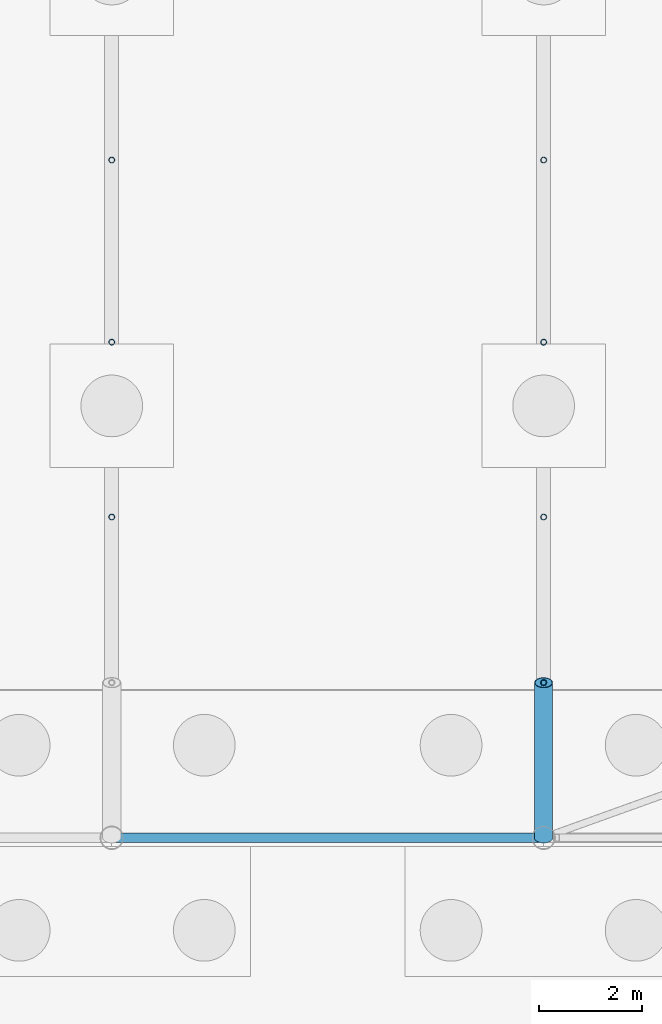
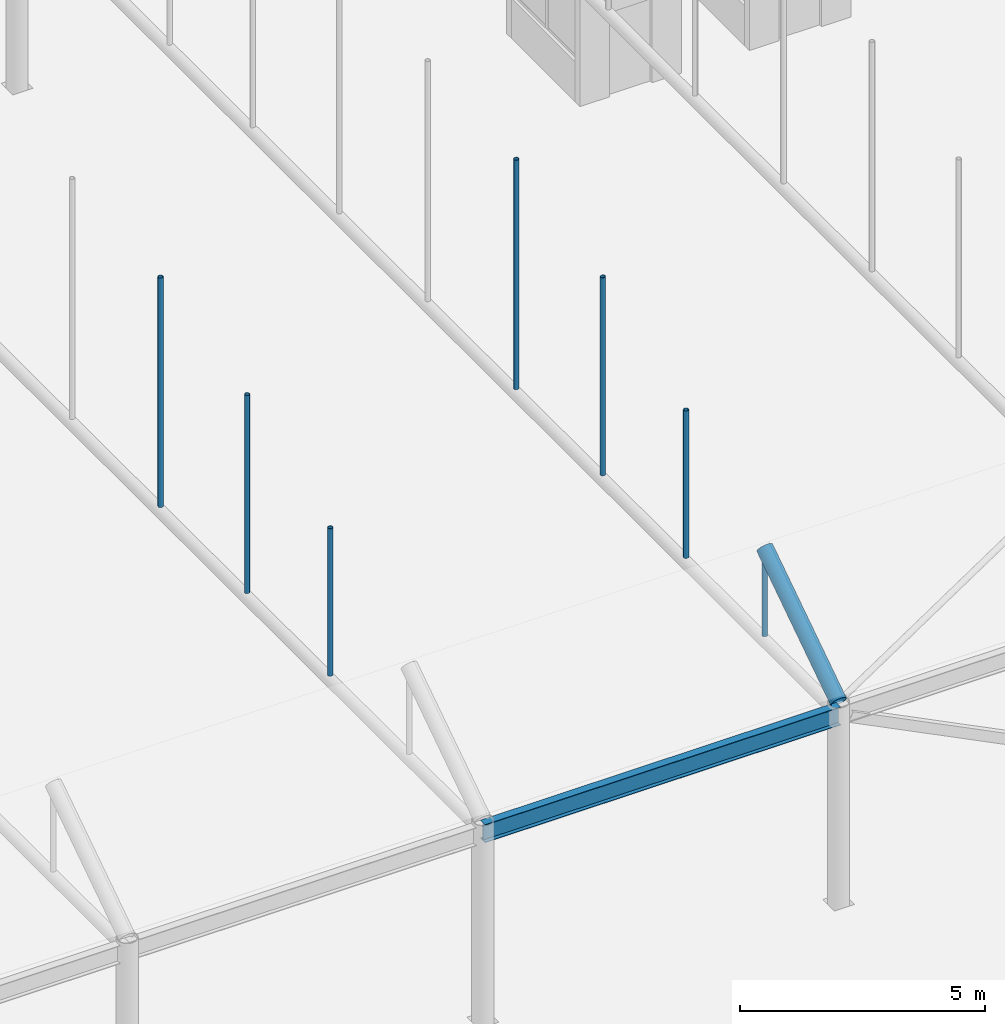
# One storey, part 63 of 212: 8 members, 1 beam.
"""IFC4 building model written with IfcOpenShell, lengths in metres."""

from ifc_helpers import new_model, si_unit, direction, frame, origin, origin_2d, place, context, subcontext, project, spatial, hollow_circle, i_section, extrude, material, material_profile, profile_set, type_object, element, save


model = new_model("IFC4")

# Units and contexts
model_context = context("Model", 3, precision=1e-05, world=origin(), true_north=direction((0.0, 1.0)))
body_context = subcontext(model_context, "Body", "Model", "MODEL_VIEW")
ifc_project = project(units=[si_unit("LENGTHUNIT", "METRE"), si_unit("AREAUNIT", "SQUARE_METRE"), si_unit("VOLUMEUNIT", "CUBIC_METRE"), si_unit("PLANEANGLEUNIT", "RADIAN"), si_unit("MASSUNIT", "GRAM", prefix="KILO")], contexts=[model_context])

# Site, building, storey
site_placement = place(None, origin())
site = spatial("IfcSite", under=ifc_project, at=site_placement, CompositionType="ELEMENT")
building_placement = place(site_placement, origin())
building = spatial("IfcBuilding", under=site, at=building_placement, Name="Catenary Quay Ferry Terminal", CompositionType="ELEMENT")
storey_placement = place(building_placement, origin())
storey = spatial("IfcBuildingStorey", under=building, at=storey_placement, Name="L00", CompositionType="ELEMENT", Elevation=0.0)

# Beam
ifc_material_1 = material(Name="Steel S355", Category="steel")
ifc_material_profile_1 = material_profile(ifc_material_1, i_section(OverallWidth=0.18994140625, OverallDepth=0.453369140625, WebThickness=0.008544921875, FlangeThickness=0.0126953125, at=origin_2d()), Name="UB 457x191x67")
ifc_profile_set_1 = profile_set([ifc_material_profile_1], Name="Steel S355")
beam_type = type_object("IfcBeamType", Name="B1 UB 457x191x67", PredefinedType="BEAM", material=ifc_profile_set_1)
beam_placement = place(storey_placement, frame((84.0, 16.800048828125, 4.699951171875), z_axis=(1.0, 0.0, 0.0), x_axis=(0.0, 1.0, 0.0)))
element("IfcBeam", 1, at=beam_placement, inside=storey, type_object=beam_type, Name="Eaves beam B-CA3-9", PredefinedType="BEAM", context=body_context, shape_type="SweptSolid", body=[
    extrude(i_section(OverallWidth=0.18994140625, OverallDepth=0.453369140625, WebThickness=0.008544921875, FlangeThickness=0.0126953125, at=origin_2d()), origin(), (0.0, 0.0, 1.0), 8.39990234375),
])

# Members
ifc_material_2 = material(Name="Steel S355", Category="steel")
ifc_material_profile_2 = material_profile(ifc_material_2, hollow_circle(Radius=0.05712890625, WallThickness=0.00634765625, at=origin_2d()), Name="CHS 114.3x6.3")
ifc_profile_set_2 = profile_set([ifc_material_profile_2], Name="Steel S355")
member_type_1 = type_object("IfcMemberType", Name="HG1 CHS 114.3x6.3", PredefinedType="POST", material=ifc_profile_set_2)
member_1_placement = place(storey_placement, frame((84.0, 23.0380859375, 4.830078125), z_axis=(0.0, 0.0, 1.0), x_axis=(1.0, 0.0, 0.0)))
element("IfcMember", 2, at=member_1_placement, inside=storey, type_object=member_type_1, Name="Hanger CA-09-02", PredefinedType="POST", context=body_context, shape_type="SweptSolid", body=[
    extrude(hollow_circle(Radius=0.05712890625, WallThickness=0.00634765625, at=origin_2d()), origin(), (0.0, 0.0, 1.0), 3.681884765625),
])
member_2_placement = place(storey_placement, frame((84.0, 26.43994140625, 4.830078125), z_axis=(0.0, 0.0, 1.0), x_axis=(1.0, 0.0, 0.0)))
element("IfcMember", 3, at=member_2_placement, inside=storey, type_object=member_type_1, Name="Hanger CA-09-03", PredefinedType="POST", context=body_context, shape_type="SweptSolid", body=[
    extrude(hollow_circle(Radius=0.05712890625, WallThickness=0.00634765625, at=origin_2d()), origin(), (0.0, 0.0, 1.0), 4.94287109375),
])
member_3_placement = place(storey_placement, frame((84.0, 29.98193359375, 4.830078125), z_axis=(0.0, 0.0, 1.0), x_axis=(1.0, 0.0, 0.0)))
element("IfcMember", 4, at=member_3_placement, inside=storey, type_object=member_type_1, Name="Hanger CA-09-04", PredefinedType="POST", context=body_context, shape_type="SweptSolid", body=[
    extrude(hollow_circle(Radius=0.05712890625, WallThickness=0.00634765625, at=origin_2d()), origin(), (0.0, 0.0, 1.0), 5.72998046875),
])
member_4_placement = place(storey_placement, frame((92.39990234375, 19.818115234375, 4.830078125), z_axis=(0.0, 0.0, 1.0), x_axis=(1.0, 0.0, 0.0)))
element("IfcMember", 5, at=member_4_placement, inside=storey, type_object=member_type_1, Name="Hanger CA-10-01", PredefinedType="POST", context=body_context, shape_type="SweptSolid", body=[
    extrude(hollow_circle(Radius=0.05712890625, WallThickness=0.00634765625, at=origin_2d()), origin(), (0.0, 0.0, 1.0), 2.010986328125),
])
member_5_placement = place(storey_placement, frame((92.39990234375, 23.0380859375, 4.830078125), z_axis=(0.0, 0.0, 1.0), x_axis=(1.0, 0.0, 0.0)))
element("IfcMember", 6, at=member_5_placement, inside=storey, type_object=member_type_1, Name="Hanger CA-10-02", PredefinedType="POST", context=body_context, shape_type="SweptSolid", body=[
    extrude(hollow_circle(Radius=0.05712890625, WallThickness=0.00634765625, at=origin_2d()), origin(), (0.0, 0.0, 1.0), 3.681884765625),
])
member_6_placement = place(storey_placement, frame((92.39990234375, 26.43994140625, 4.830078125), z_axis=(0.0, 0.0, 1.0), x_axis=(1.0, 0.0, 0.0)))
element("IfcMember", 7, at=member_6_placement, inside=storey, type_object=member_type_1, Name="Hanger CA-10-03", PredefinedType="POST", context=body_context, shape_type="SweptSolid", body=[
    extrude(hollow_circle(Radius=0.05712890625, WallThickness=0.00634765625, at=origin_2d()), origin(), (0.0, 0.0, 1.0), 4.94287109375),
])
member_7_placement = place(storey_placement, frame((92.39990234375, 29.98193359375, 4.830078125), z_axis=(0.0, 0.0, 1.0), x_axis=(1.0, 0.0, 0.0)))
element("IfcMember", 8, at=member_7_placement, inside=storey, type_object=member_type_1, Name="Hanger CA-10-04", PredefinedType="POST", context=body_context, shape_type="SweptSolid", body=[
    extrude(hollow_circle(Radius=0.05712890625, WallThickness=0.00634765625, at=origin_2d()), origin(), (0.0, 0.0, 1.0), 5.72998046875),
])
ifc_material_3 = material(Name="Steel S355", Category="steel")
ifc_material_profile_3 = material_profile(ifc_material_3, hollow_circle(Radius=0.177734375, WallThickness=0.012451171875, at=origin_2d()), Name="CHS 355.6x12.5")
ifc_profile_set_3 = profile_set([ifc_material_profile_3], Name="Steel S355")
member_type_2 = type_object("IfcMemberType", Name="VR1 CHS 355.6x12.5", PredefinedType="RAFTER", material=ifc_profile_set_3)
member_8_placement = place(storey_placement, frame((92.39990234375, 16.800048828125, 5.0), z_axis=(0.0, 0.831936388081, 0.554871017613), x_axis=(-1.0, 0.0, 0.0)))
element("IfcMember", 9, at=member_8_placement, inside=storey, type_object=member_type_2, Name="rib CA-10-01", PredefinedType="RAFTER", context=body_context, shape_type="SweptSolid", body=[
    extrude(hollow_circle(Radius=0.177734375, WallThickness=0.012451171875, at=origin_2d()), origin(), (0.0, 0.0, 1.0), 3.627685546875),
])

save(model, "model.ifc")
